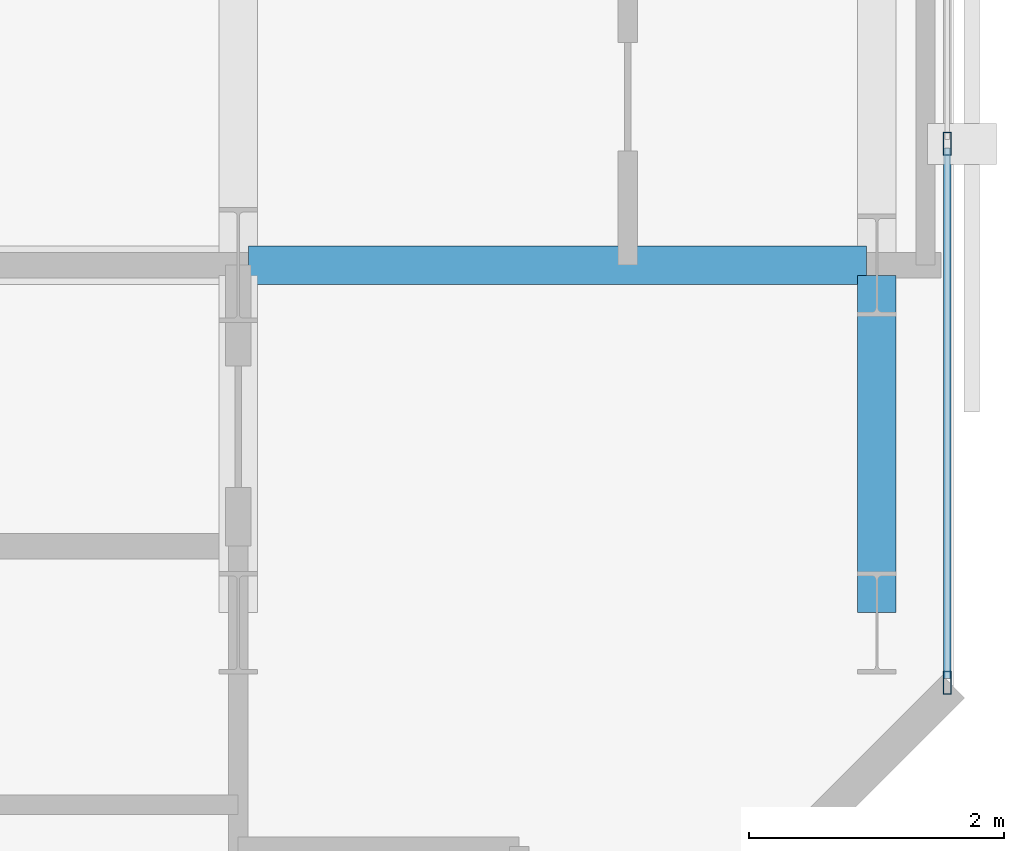
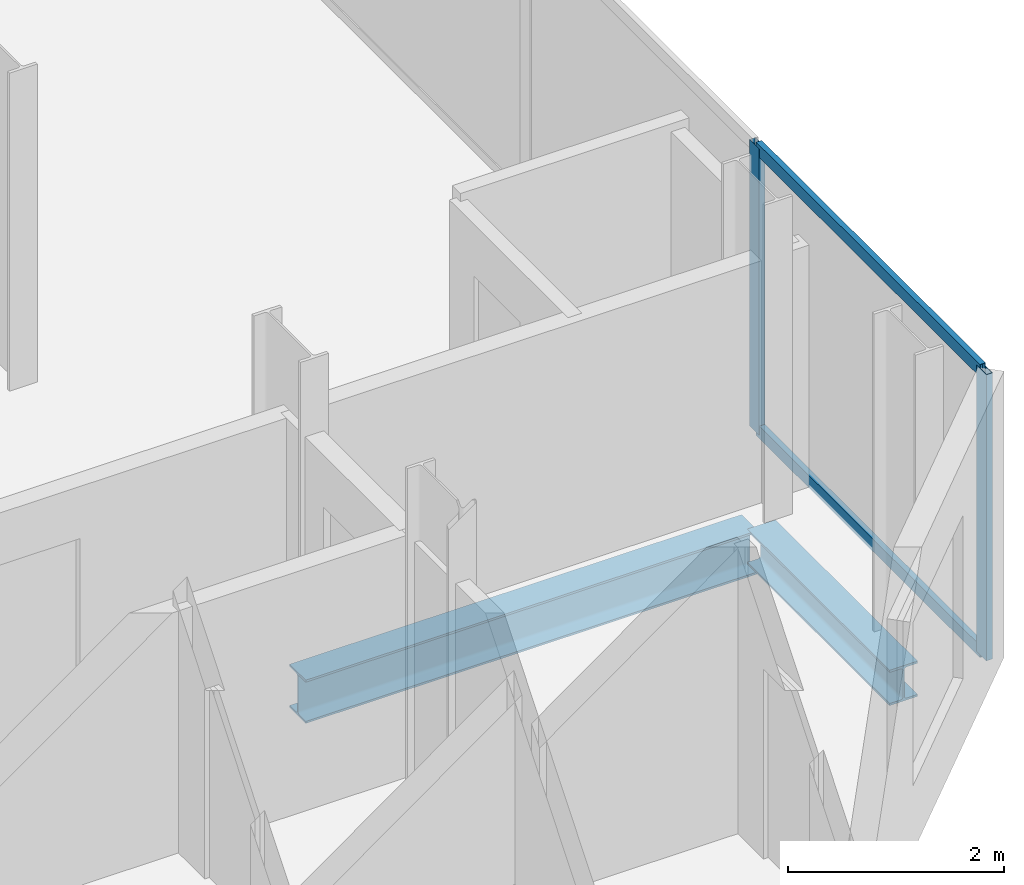
# One storey, part 17 of 33: 4 members, 2 beams, 1 element without a shape of its own.
"""IFC4 building model written with IfcOpenShell, lengths in metres."""

from ifc_helpers import new_model, si_unit, direction, frame, origin, origin_2d, place, context, subcontext, project, spatial, hollow_rectangle, i_section, extrude, material, layer, layer_set, material_profile, profile_set, type_object, element, aggregate, save


model = new_model("IFC4")

# Units and contexts
model_context = context("Model", 3, precision=1e-05, world=origin(), true_north=direction((0.0, 1.0)))
body_context = subcontext(model_context, "Body", "Model", "MODEL_VIEW")
ifc_project = project(units=[si_unit("LENGTHUNIT", "METRE"), si_unit("AREAUNIT", "SQUARE_METRE"), si_unit("VOLUMEUNIT", "CUBIC_METRE"), si_unit("PLANEANGLEUNIT", "RADIAN"), si_unit("MASSUNIT", "GRAM", prefix="KILO")], contexts=[model_context])

# Site, building, storey
site_placement = place(None, origin())
site = spatial("IfcSite", under=ifc_project, at=site_placement, CompositionType="ELEMENT")
building_placement = place(site_placement, origin())
building = spatial("IfcBuilding", under=site, at=building_placement, Name="Catumbela Crestline Tower", CompositionType="ELEMENT")
storey_placement = place(building_placement, frame((0.0, 0.0, 76.2)))
storey = spatial("IfcBuildingStorey", under=building, at=storey_placement, Name="L19", CompositionType="ELEMENT", Elevation=76.2)

# Beam
ifc_material_1 = material(Name="Structural steel S355J2", Category="steel")
ifc_material_profile_1 = material_profile(ifc_material_1, i_section(OverallWidth=0.3, OverallDepth=0.49, WebThickness=0.012, FlangeThickness=0.023, FilletRadius=0.027, at=origin_2d()), Name="HEA 500")
ifc_profile_set_1 = profile_set([ifc_material_profile_1], Name="Structural steel S355J2")
beam_type_1 = type_object("IfcBeamType", Name="BG-HEA500", PredefinedType="BEAM", material=ifc_profile_set_1)
beam_1_placement = place(storey_placement, frame((50.48, 30.8, -0.505), z_axis=(1.0, 0.0, 0.0), x_axis=(0.0, 1.0, 0.0)))
element("IfcBeam", 1, at=beam_1_placement, inside=storey, type_object=beam_type_1, Name="L19 Beam BM-L19-M12", PredefinedType="BEAM", context=body_context, shape_type="SweptSolid", body=[
    extrude(i_section(OverallWidth=0.3, OverallDepth=0.49, WebThickness=0.012, FlangeThickness=0.023, FilletRadius=0.027, at=origin_2d()), origin(), (0.0, 0.0, 1.0), 4.84),
])

# Curtain wall, members
ifc_material_2 = material(Name="Aluminium alloy AW-6060-T66", Category="aluminium")
ifc_layer = layer(ifc_material_2, 0.18, Name="Aluminium alloy AW-6060-T66")
ifc_layer_set = layer_set([ifc_layer], Name="Aluminium alloy AW-6060-T66")
curtain_wall_type = type_object("IfcCurtainWallType", Name="CWU-Z1", PredefinedType="USERDEFINED", material=ifc_layer_set)
curtain_wall_placement = place(storey_placement, origin())
curtain_wall = element("IfcCurtainWall", 2, at=curtain_wall_placement, inside=storey, type_object=curtain_wall_type, Name="L19 Unitised Curtain Wall CW-L19-E5S1", ObjectType="UNITISED", PredefinedType="USERDEFINED")
ifc_material_profile_2 = material_profile(ifc_material_2, hollow_rectangle(XDim=0.065, YDim=0.18, WallThickness=0.004, at=origin_2d()), Name="ALU 180x65x4")
ifc_profile_set_2 = profile_set([ifc_material_profile_2], Name="Aluminium alloy AW-6060-T66")
member_type_1 = type_object("IfcMemberType", Name="MUL-180X65", PredefinedType="MULLION", material=ifc_profile_set_2)
member_1_placement = place(storey_placement, frame((55.95, 27.5325, 0.0), z_axis=(0.0, 0.0, 1.0), x_axis=(-1.0, 0.0, 0.0)))
member_1 = element("IfcMember", 3, at=member_1_placement, type_object=member_type_1, Name="CWU-Z1 mullion 1", PredefinedType="MULLION", context=body_context, shape_type="SweptSolid", body=[
    extrude(hollow_rectangle(XDim=0.065, YDim=0.18, WallThickness=0.004, at=origin_2d()), origin(), (0.0, 0.0, 1.0), 3.24),
])
member_2_placement = place(storey_placement, frame((55.95, 31.75, 0.0), z_axis=(0.0, 0.0, 1.0), x_axis=(-1.0, 0.0, 0.0)))
member_2 = element("IfcMember", 4, at=member_2_placement, type_object=member_type_1, Name="CWU-Z1 mullion 2", PredefinedType="MULLION", context=body_context, shape_type="SweptSolid", body=[
    extrude(hollow_rectangle(XDim=0.065, YDim=0.18, WallThickness=0.004, at=origin_2d()), origin(), (0.0, 0.0, 1.0), 3.24),
])

# Beam
ifc_material_profile_3 = material_profile(ifc_material_1, i_section(OverallWidth=0.3, OverallDepth=0.4, WebThickness=0.0135, FlangeThickness=0.024, FilletRadius=0.027, at=origin_2d()), Name="HEB 400")
ifc_profile_set_3 = profile_set([ifc_material_profile_3], Name="Structural steel S355J2")
beam_type_2 = type_object("IfcBeamType", Name="BS-HEB400", PredefinedType="SPANDREL", material=ifc_profile_set_3)
beam_2_placement = place(storey_placement, frame((55.4, 28.08, -0.46), z_axis=(0.0, 1.0, 0.0), x_axis=(-1.0, 0.0, 0.0)))
element("IfcBeam", 5, at=beam_2_placement, inside=storey, type_object=beam_type_2, Name="L19 Spandrel SP-L19-SN40", PredefinedType="SPANDREL", context=body_context, shape_type="SweptSolid", body=[
    extrude(i_section(OverallWidth=0.3, OverallDepth=0.4, WebThickness=0.0135, FlangeThickness=0.024, FilletRadius=0.027, at=origin_2d()), origin(), (0.0, 0.0, 1.0), 2.64),
])

# Member
ifc_material_profile_4 = material_profile(ifc_material_2, hollow_rectangle(XDim=0.06, YDim=0.14, WallThickness=0.004, at=origin_2d()), Name="ALU 140x60x4")
ifc_profile_set_4 = profile_set([ifc_material_profile_4], Name="Aluminium alloy AW-6060-T66")
member_type_2 = type_object("IfcMemberType", Name="TRN-140X60", PredefinedType="USERDEFINED", material=ifc_profile_set_4)
member_3_placement = place(storey_placement, frame((55.95, 27.565, 0.03), z_axis=(0.0, 1.0, 0.0), x_axis=(-1.0, 0.0, 0.0)))
member_3 = element("IfcMember", 6, at=member_3_placement, type_object=member_type_2, Name="CWU-Z1 transom 1.1", ObjectType="TRANSOM", PredefinedType="USERDEFINED", context=body_context, shape_type="SweptSolid", body=[
    extrude(hollow_rectangle(XDim=0.06, YDim=0.14, WallThickness=0.004, at=origin_2d()), origin(), (0.0, 0.0, 1.0), 4.1525),
])

member_4_placement = place(storey_placement, frame((55.95, 27.565, 3.21), z_axis=(0.0, 1.0, 0.0), x_axis=(-1.0, 0.0, 0.0)))
member_4 = element("IfcMember", 7, at=member_4_placement, type_object=member_type_2, Name="CWU-Z1 transom 1.2", ObjectType="TRANSOM", PredefinedType="USERDEFINED", context=body_context, shape_type="SweptSolid", body=[
    extrude(hollow_rectangle(XDim=0.06, YDim=0.14, WallThickness=0.004, at=origin_2d()), origin(), (0.0, 0.0, 1.0), 4.1525),
])

aggregate(curtain_wall, [member_1, member_2, member_3, member_4])

save(model, "model.ifc")
